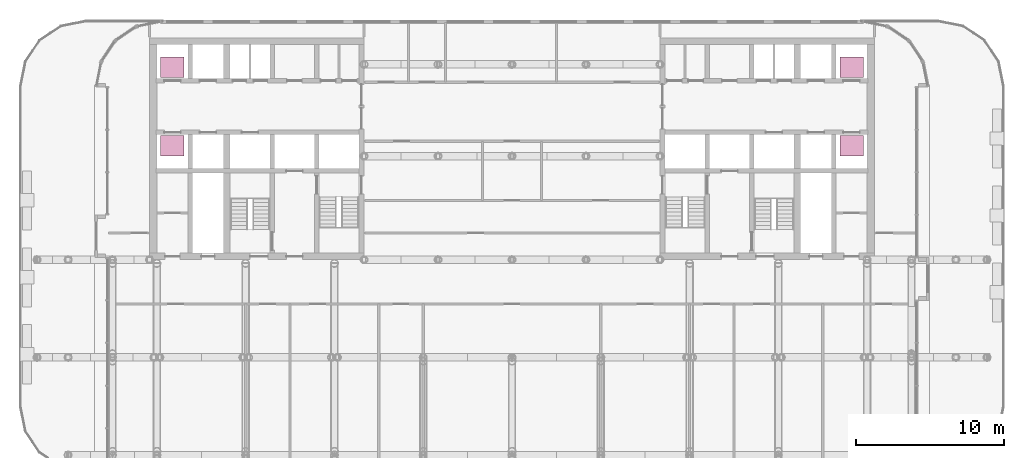
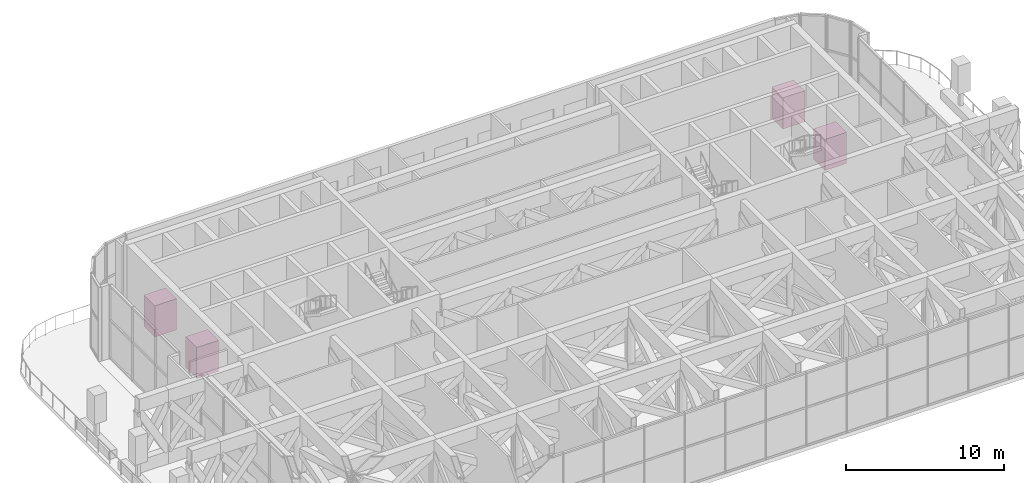
# One storey, part 24 of 25: 4 transport elements.
"""IFC4 building model written with IfcOpenShell, lengths in metres."""

from ifc_helpers import new_model, si_unit, direction, frame, origin, origin_2d, place, context, subcontext, project, spatial, rectangle, extrude, material, type_object, element, save


model = new_model("IFC4")

# Units and contexts
model_context = context("Model", 3, precision=1e-05, world=origin(), true_north=direction((0.0, 1.0)))
body_context = subcontext(model_context, "Body", "Model", "MODEL_VIEW")
ifc_project = project(units=[si_unit("LENGTHUNIT", "METRE"), si_unit("AREAUNIT", "SQUARE_METRE"), si_unit("VOLUMEUNIT", "CUBIC_METRE"), si_unit("PLANEANGLEUNIT", "RADIAN"), si_unit("MASSUNIT", "GRAM", prefix="KILO")], contexts=[model_context])

# Site, building, storey
site_placement = place(None, origin())
site = spatial("IfcSite", under=ifc_project, at=site_placement, CompositionType="ELEMENT")
building_placement = place(site_placement, origin())
building = spatial("IfcBuilding", under=site, at=building_placement, Name="Torana Hotel and Residences", CompositionType="ELEMENT")
storey_placement = place(building_placement, frame((0.0, 0.0, 106.800048828125)))
storey = spatial("IfcBuildingStorey", under=building, at=storey_placement, Name="L27", CompositionType="ELEMENT", Elevation=106.800048828125)

# Transport elements
ifc_material = material(Name="Stainless steel 316", Category="steel")
transport_element_type = type_object("IfcTransportElementType", Name="PASSENGER LIFT CAR 1600x1400", PredefinedType="ELEVATOR", material=ifc_material)
for number, where, z_axis, x_axis, name in (
    (1, (-22.949951171875, -2.0, 0.0), (0.0, 0.0, 1.0), (1.0, 0.0, 0.0), "Passenger lift M1"),
    (2, (-22.949951171875, -7.300048828125, 0.0), (0.0, 0.0, 1.0), (1.0, 0.0, 0.0), "Passenger lift M2"),
    (3, (22.949951171875, -2.0, 0.0), (0.0, 0.0, 1.0), (1.0, 0.0, 0.0), "Passenger lift M3"),
    (4, (22.949951171875, -7.300048828125, 0.0), (0.0, 0.0, 1.0), (1.0, 0.0, 0.0), "Passenger lift M4"),
):
    element("IfcTransportElement", number, at=place(storey_placement, frame(where, z_axis=z_axis, x_axis=x_axis)), inside=storey, type_object=transport_element_type, Name=name, PredefinedType="ELEVATOR", context=body_context, shape_type="SweptSolid", body=[
        extrude(rectangle(XDim=1.60009765625, YDim=1.39990234375, at=origin_2d()), origin(), (0.0, 0.0, 1.0), 2.39990234375),
    ])

save(model, "model.ifc")
